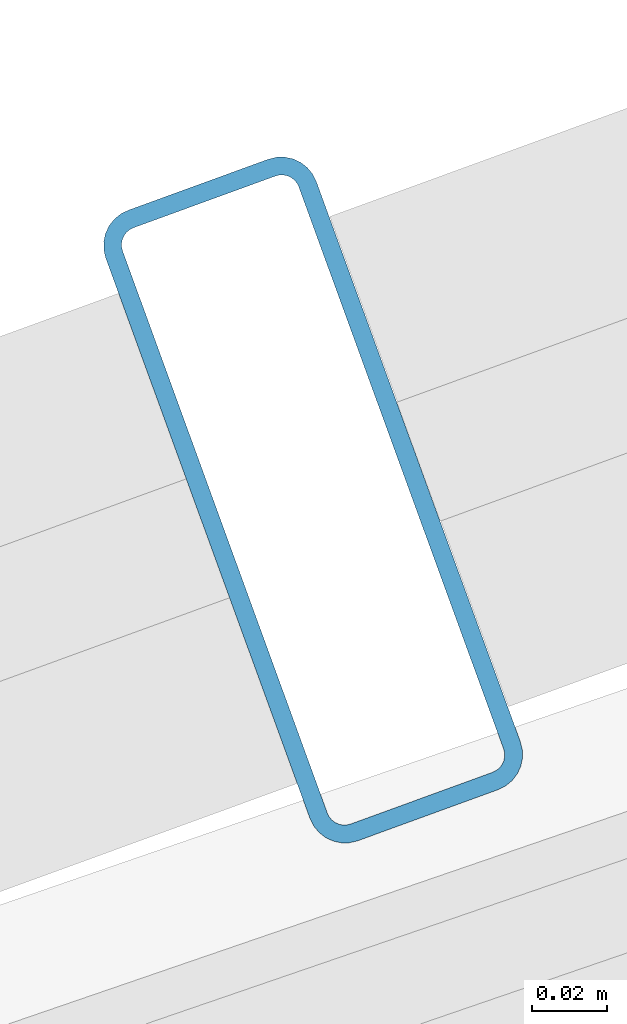
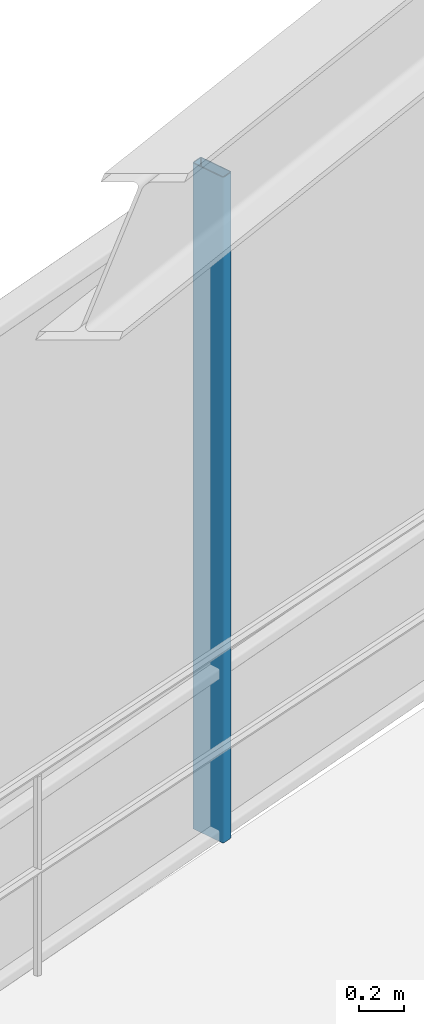
# One storey, part 29 of 55: 1 member, 1 element without a shape of its own.
"""IFC4 building model written with IfcOpenShell, lengths in metres."""

from ifc_helpers import new_model, si_unit, direction, frame, origin, origin_2d, place, context, subcontext, project, spatial, hollow_rectangle, extrude, material, layer, layer_set, material_profile, profile_set, type_object, element, aggregate, save


model = new_model("IFC4")

# Units and contexts
model_context = context("Model", 3, precision=1e-05, world=origin(), true_north=direction((0.0, 1.0)))
body_context = subcontext(model_context, "Body", "Model", "MODEL_VIEW")
ifc_project = project(units=[si_unit("LENGTHUNIT", "METRE"), si_unit("AREAUNIT", "SQUARE_METRE"), si_unit("VOLUMEUNIT", "CUBIC_METRE"), si_unit("PLANEANGLEUNIT", "RADIAN"), si_unit("MASSUNIT", "GRAM", prefix="KILO")], contexts=[model_context])

# Site, building, storey
site_placement = place(None, origin())
site = spatial("IfcSite", under=ifc_project, at=site_placement, CompositionType="ELEMENT")
building_placement = place(site_placement, origin())
building = spatial("IfcBuilding", under=site, at=building_placement, Name="Kelanora Arch Commons", CompositionType="ELEMENT")
storey_placement = place(building_placement, frame((0.0, 0.0, 4.5)))
storey = spatial("IfcBuildingStorey", under=building, at=storey_placement, Name="L01", CompositionType="ELEMENT", Elevation=4.5)

# Curtain wall, member
ifc_material_1 = material(Name="Terracotta ceramic-fritted low-E glass and aluminium", Category="masonry")
ifc_layer = layer(ifc_material_1, 0.2099609375)
ifc_layer_set = layer_set([ifc_layer], Name="Terracotta ceramic-fritted low-E glass and aluminium")
curtain_wall_type = type_object("IfcCurtainWallType", Name="CW-SYS-04", PredefinedType="NOTDEFINED", material=ifc_layer_set)
curtain_wall_placement = place(storey_placement, origin())
curtain_wall = element("IfcCurtainWall", 1, at=curtain_wall_placement, inside=storey, type_object=curtain_wall_type, Name="Unitised Curtain Wall L01-B07", PredefinedType="NOTDEFINED")
ifc_material_2 = material(Name="Powder-coated aluminium terracotta", Category="masonry")
ifc_material_profile = material_profile(ifc_material_2, hollow_rectangle(XDim=0.179931640625, YDim=0.06005859375, WallThickness=0.0048828125, InnerFilletRadius=0.0048828125, OuterFilletRadius=0.010009765625, at=origin_2d()), Name="CWM180x60")
ifc_profile_set = profile_set([ifc_material_profile], Name="Powder-coated aluminium terracotta")
member_type = type_object("IfcMemberType", Name="CWM-HVY", PredefinedType="MULLION", material=ifc_profile_set)
member_placement = place(storey_placement, frame((51.880126953125, 68.07763671875, 0.0), z_axis=(0.0, 0.0, 1.0), x_axis=(0.342318215206, -0.939584077951, 0.0)))
member = element("IfcMember", 2, at=member_placement, type_object=member_type, Name="CW-04 mullion 3", PredefinedType="MULLION", context=body_context, shape_type="SweptSolid", body=[
    extrude(hollow_rectangle(XDim=0.179931640625, YDim=0.06005859375, WallThickness=0.0048828125, InnerFilletRadius=0.0048828125, OuterFilletRadius=0.010009765625, at=origin_2d()), origin(), (0.0, 0.0, 1.0), 3.580078125),
])
aggregate(curtain_wall, [member])

save(model, "model.ifc")
